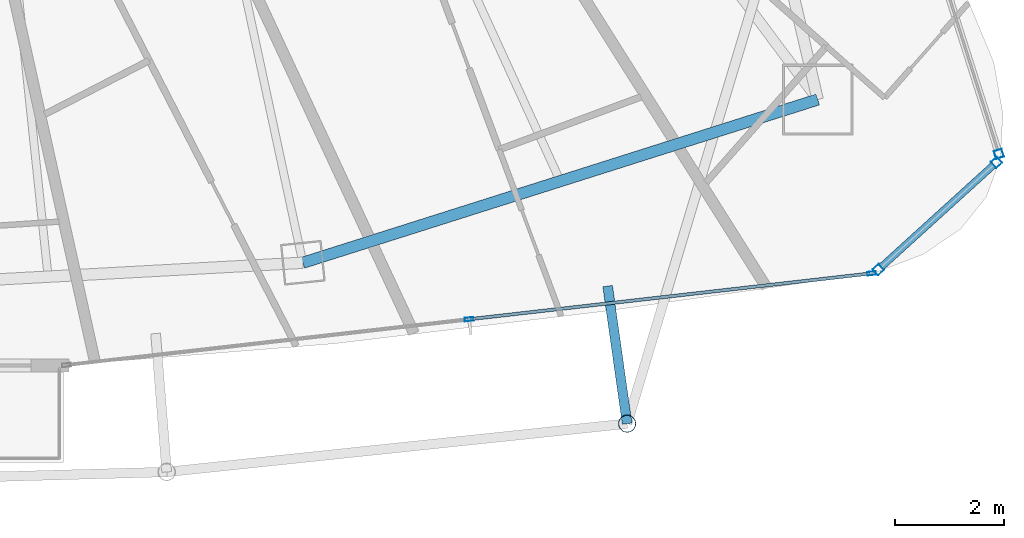
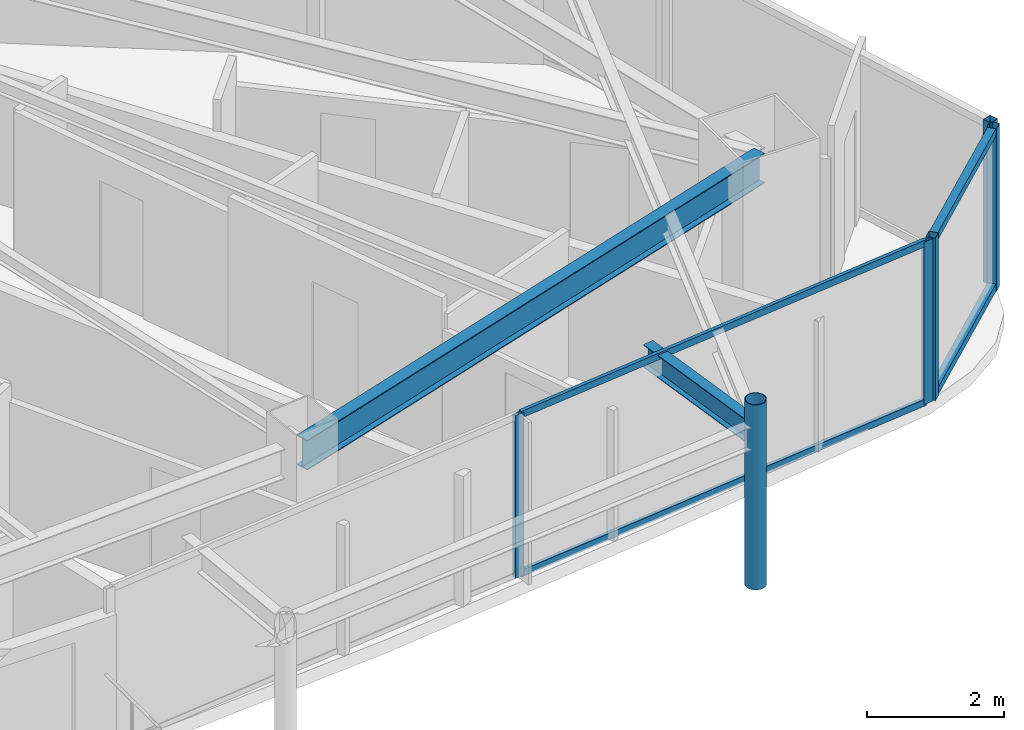
# One storey, part 14 of 29: 10 members, 2 beams, 3 elements without a shape of their own.
"""IFC4 building model written with IfcOpenShell, lengths in metres."""

from ifc_helpers import new_model, si_unit, direction, frame, origin, origin_2d, place, context, subcontext, project, spatial, hollow_rectangle, hollow_circle, i_section, extrude, material, layer, layer_set, material_profile, profile_set, type_object, element, aggregate, save


model = new_model("IFC4")

# Units and contexts
model_context = context("Model", 3, precision=1e-05, world=origin(), true_north=direction((0.0, 1.0)))
body_context = subcontext(model_context, "Body", "Model", "MODEL_VIEW")
ifc_project = project(units=[si_unit("LENGTHUNIT", "METRE"), si_unit("AREAUNIT", "SQUARE_METRE"), si_unit("VOLUMEUNIT", "CUBIC_METRE"), si_unit("PLANEANGLEUNIT", "RADIAN"), si_unit("MASSUNIT", "GRAM", prefix="KILO")], contexts=[model_context])

# Site, building, storey
site_placement = place(None, origin())
site = spatial("IfcSite", under=ifc_project, at=site_placement, CompositionType="ELEMENT")
building_placement = place(site_placement, origin())
building = spatial("IfcBuilding", under=site, at=building_placement, Name="Orvanel Arch Residences", CompositionType="ELEMENT")
storey_placement = place(building_placement, frame((0.0, 0.0, 253.550048828125)))
storey = spatial("IfcBuildingStorey", under=building, at=storey_placement, Name="L72", CompositionType="ELEMENT", Elevation=253.550048828125)

# Curtain wall, members
ifc_material_1 = material(Name="Bronze-anodised aluminium AA6063-T6", Category="aluminium")
ifc_layer_1 = layer(ifc_material_1, 0.18994140625)
ifc_layer_set_1 = layer_set([ifc_layer_1], Name="Bronze-anodised aluminium AA6063-T6")
curtain_wall_type_1 = type_object("IfcCurtainWallType", Name="CW5-CRN-SYS", PredefinedType="NOTDEFINED", material=ifc_layer_set_1)
curtain_wall_1_placement = place(storey_placement, origin())
curtain_wall_1 = element("IfcCurtainWall", 1, at=curtain_wall_1_placement, inside=storey, type_object=curtain_wall_type_1, Name="L72 CW5-CRN-SYS Unitised Curtain Wall", PredefinedType="NOTDEFINED")
ifc_material_profile_1 = material_profile(ifc_material_1, hollow_rectangle(XDim=0.14990234375, YDim=0.14990234375, WallThickness=0.0048828125, at=origin_2d()), Name="ALU150x150x5")
ifc_profile_set_1 = profile_set([ifc_material_profile_1], Name="Bronze-anodised aluminium AA6063-T6")
member_type_1 = type_object("IfcMemberType", Name="MUL-150x150", PredefinedType="MULLION", material=ifc_profile_set_1)
member_1_placement = place(storey_placement, frame((52.91455078125, 7.2294921875, 0.0), z_axis=(0.0, 0.0, 1.0), x_axis=(-0.672204148472, 0.740365843875, 0.0)))
member_1 = element("IfcMember", 2, at=member_1_placement, type_object=member_type_1, Name="CW-S5 mullion 1", PredefinedType="MULLION", context=body_context, shape_type="SweptSolid", body=[
    extrude(hollow_rectangle(XDim=0.14990234375, YDim=0.14990234375, WallThickness=0.0048828125, at=origin_2d()), origin(), (0.0, 0.0, 1.0), 2.89990234375),
])
member_2_placement = place(storey_placement, frame((55.08447265625, 9.199462890625, 0.0), z_axis=(0.0, 0.0, 1.0), x_axis=(-0.672204148472, 0.740365843875, 0.0)))
member_2 = element("IfcMember", 3, at=member_2_placement, type_object=member_type_1, Name="CW-S5 mullion 2", PredefinedType="MULLION", context=body_context, shape_type="SweptSolid", body=[
    extrude(hollow_rectangle(XDim=0.14990234375, YDim=0.14990234375, WallThickness=0.0048828125, at=origin_2d()), origin(), (0.0, 0.0, 1.0), 2.89990234375),
])

# Curtain wall, member
curtain_wall_2_placement = place(storey_placement, origin())
curtain_wall_2 = element("IfcCurtainWall", 4, at=curtain_wall_2_placement, inside=storey, type_object=curtain_wall_type_1, Name="L72 CW5-CRN-SYS Unitised Curtain Wall", PredefinedType="NOTDEFINED")
member_3_placement = place(storey_placement, frame((55.126220703125, 9.353515625, 0.0), z_axis=(0.0, 0.0, 1.0), x_axis=(-0.953089092544, -0.302689910097, 0.0)))
member_3 = element("IfcMember", 5, at=member_3_placement, type_object=member_type_1, Name="CW-S5 mullion 1", PredefinedType="MULLION", context=body_context, shape_type="SweptSolid", body=[
    extrude(hollow_rectangle(XDim=0.14990234375, YDim=0.14990234375, WallThickness=0.0048828125, at=origin_2d()), origin(), (0.0, 0.0, 1.0), 2.89990234375),
])
aggregate(curtain_wall_2, [member_3])

# Curtain wall, members
ifc_layer_2 = layer(ifc_material_1, 0.175048828125)
ifc_layer_set_2 = layer_set([ifc_layer_2], Name="Bronze-anodised aluminium AA6063-T6")
curtain_wall_type_2 = type_object("IfcCurtainWallType", Name="CW4-HI-SYS", PredefinedType="NOTDEFINED", material=ifc_layer_set_2)
curtain_wall_3_placement = place(storey_placement, origin())
curtain_wall_3 = element("IfcCurtainWall", 6, at=curtain_wall_3_placement, inside=storey, type_object=curtain_wall_type_2, Name="L72 CW4-HI-SYS Unitised Curtain Wall", PredefinedType="NOTDEFINED")
ifc_material_profile_2 = material_profile(ifc_material_1, hollow_rectangle(XDim=0.06494140625, YDim=0.159912109375, WallThickness=0.00390625, at=origin_2d()), Name="ALU160x65x4")
ifc_profile_set_2 = profile_set([ifc_material_profile_2], Name="Bronze-anodised aluminium AA6063-T6")
member_type_2 = type_object("IfcMemberType", Name="MUL-160x65", PredefinedType="MULLION", material=ifc_profile_set_2)
member_4_placement = place(storey_placement, frame((45.402587890625, 6.318115234375, 0.0), z_axis=(0.0, 0.0, 1.0), x_axis=(-0.113259630878, 0.993565426136, 0.0)))
member_4 = element("IfcMember", 7, at=member_4_placement, type_object=member_type_2, Name="CW-S4 mullion 2", PredefinedType="MULLION", context=body_context, shape_type="SweptSolid", body=[
    extrude(hollow_rectangle(XDim=0.06494140625, YDim=0.159912109375, WallThickness=0.00390625, at=origin_2d()), origin(), (0.0, 0.0, 1.0), 2.89990234375),
])
member_5_placement = place(storey_placement, frame((52.791748046875, 7.160400390625, 0.0), z_axis=(0.0, 0.0, 1.0), x_axis=(-0.113259630878, 0.993565426136, 0.0)))
member_5 = element("IfcMember", 8, at=member_5_placement, type_object=member_type_2, Name="CW-S4 mullion 3", PredefinedType="MULLION", context=body_context, shape_type="SweptSolid", body=[
    extrude(hollow_rectangle(XDim=0.06494140625, YDim=0.159912109375, WallThickness=0.00390625, at=origin_2d()), origin(), (0.0, 0.0, 1.0), 2.89990234375),
])

# Beams
ifc_material_2 = material(Name="Structural steel AS/NZS 3679.1 Grade 300 (300 MPa)", Category="steel")
ifc_material_profile_3 = material_profile(ifc_material_2, i_section(OverallWidth=0.177978515625, OverallDepth=0.406005859375, WebThickness=0.0078125, FlangeThickness=0.0126953125, at=origin_2d()), Name="410UB59.7")
ifc_profile_set_3 = profile_set([ifc_material_profile_3], Name="Structural steel AS/NZS 3679.1 Grade 300 (300 MPa)")
beam_type_1 = type_object("IfcBeamType", Name="OB-410UB-EXT", PredefinedType="SPANDREL", material=ifc_profile_set_3)
beam_1_placement = place(storey_placement, frame((47.945068359375, 6.927001953125, 2.697021484375), z_axis=(0.140349029672, -0.99010209063, 0.0), x_axis=(0.99010209063, 0.140349029672, 0.0)))
element("IfcBeam", 9, at=beam_1_placement, inside=storey, type_object=beam_type_1, Name="L72 Outer Frame Radial Tie Beam 08", PredefinedType="SPANDREL", context=body_context, shape_type="SweptSolid", body=[
    extrude(i_section(OverallWidth=0.177978515625, OverallDepth=0.406005859375, WebThickness=0.0078125, FlangeThickness=0.0126953125, at=origin_2d()), origin(), (0.0, 0.0, 1.0), 2.550048828125),
])
ifc_material_profile_4 = material_profile(ifc_material_2, i_section(OverallWidth=0.208984375, OverallDepth=0.532958984375, WebThickness=0.01025390625, FlangeThickness=0.015625, at=origin_2d()), Name="530UB92.4")
ifc_profile_set_4 = profile_set([ifc_material_profile_4], Name="Structural steel AS/NZS 3679.1 Grade 300 (300 MPa)")
beam_type_2 = type_object("IfcBeamType", Name="SP-530UB", PredefinedType="SPANDREL", material=ifc_profile_set_4)
beam_2_placement = place(storey_placement, frame((42.35107421875, 7.35498046875, 2.633056640625), z_axis=(0.953237386592, 0.302222574941, 0.0), x_axis=(-0.302222574941, 0.953237386592, 0.0)))
element("IfcBeam", 10, at=beam_2_placement, inside=storey, type_object=beam_type_2, Name="L72 Perimeter Spandrel Beam 05", PredefinedType="SPANDREL", context=body_context, shape_type="SweptSolid", body=[
    extrude(i_section(OverallWidth=0.208984375, OverallDepth=0.532958984375, WebThickness=0.01025390625, FlangeThickness=0.015625, at=origin_2d()), origin(), (0.0, 0.0, 1.0), 9.91357421875),
])

# Member
ifc_material_3 = material(Name="Structural steel AS/NZS 1163 C350L0 (Grade 350)", Category="steel")
ifc_material_profile_5 = material_profile(ifc_material_3, hollow_circle(Radius=0.162109375, WallThickness=0.0126953125, at=origin_2d()), Name="CHS324x12.7")
ifc_profile_set_5 = profile_set([ifc_material_profile_5], Name="Structural steel AS/NZS 1163 C350L0 (Grade 350)")
member_type_3 = type_object("IfcMemberType", Name="ST-324CHS-EXT", PredefinedType="STRUT", material=ifc_profile_set_5)
member_6_placement = place(storey_placement, frame((48.302978515625, 4.402099609375, 0.0), z_axis=(0.0, 0.0, 1.0), x_axis=(1.0, 0.0, 0.0)))
element("IfcMember", 11, at=member_6_placement, inside=storey, type_object=member_type_3, Name="L72 Outer Perimeter Frame Post 08", PredefinedType="STRUT", context=body_context, shape_type="SweptSolid", body=[
    extrude(hollow_circle(Radius=0.162109375, WallThickness=0.0126953125, at=origin_2d()), origin(), (0.0, 0.0, 1.0), 3.300048828125),
])

ifc_material_profile_6 = material_profile(ifc_material_1, hollow_rectangle(XDim=0.06005859375, YDim=0.1201171875, WallThickness=0.00341796875, at=origin_2d()), Name="ALU120x60x3.5")
ifc_profile_set_6 = profile_set([ifc_material_profile_6], Name="Bronze-anodised aluminium AA6063-T6")
member_type_4 = type_object("IfcMemberType", Name="TRN-120x60", PredefinedType="USERDEFINED", material=ifc_profile_set_6)
member_7_placement = place(storey_placement, frame((45.434814453125, 6.32177734375, 0.030029296875), z_axis=(0.993565507484, 0.113258917259, 0.0), x_axis=(-0.113258917259, 0.993565507484, 0.0)))
member_7 = element("IfcMember", 12, at=member_7_placement, type_object=member_type_4, Name="CW-S4 transom 2.1", ObjectType="TRANSOM", PredefinedType="USERDEFINED", context=body_context, shape_type="SweptSolid", body=[
    extrude(hollow_rectangle(XDim=0.06005859375, YDim=0.1201171875, WallThickness=0.00341796875, at=origin_2d()), origin(), (0.0, 0.0, 1.0), 7.3720703125),
])

member_8_placement = place(storey_placement, frame((45.434814453125, 6.32177734375, 2.869873046875), z_axis=(0.993565507484, 0.113258917259, 0.0), x_axis=(-0.113258917259, 0.993565507484, 0.0)))
member_8 = element("IfcMember", 13, at=member_8_placement, type_object=member_type_4, Name="CW-S4 transom 2.2", ObjectType="TRANSOM", PredefinedType="USERDEFINED", context=body_context, shape_type="SweptSolid", body=[
    extrude(hollow_rectangle(XDim=0.06005859375, YDim=0.1201171875, WallThickness=0.00341796875, at=origin_2d()), origin(), (0.0, 0.0, 1.0), 7.3720703125),
])

aggregate(curtain_wall_3, [member_4, member_5, member_7, member_8])

ifc_material_profile_7 = material_profile(ifc_material_1, hollow_rectangle(XDim=0.1298828125, YDim=0.1298828125, WallThickness=0.00439453125, at=origin_2d()), Name="ALU130x130x4.5")
ifc_profile_set_7 = profile_set([ifc_material_profile_7], Name="Bronze-anodised aluminium AA6063-T6")
member_type_5 = type_object("IfcMemberType", Name="TRN-130x130", PredefinedType="USERDEFINED", material=ifc_profile_set_7)
member_9_placement = place(storey_placement, frame((52.969970703125, 7.27978515625, 0.06494140625), z_axis=(0.740388770203, 0.672178896543, 0.0), x_axis=(-0.672178896543, 0.740388770203, 0.0)))
member_9 = element("IfcMember", 14, at=member_9_placement, type_object=member_type_5, Name="CW-S5 transom 1.1", ObjectType="TRANSOM", PredefinedType="USERDEFINED", context=body_context, shape_type="SweptSolid", body=[
    extrude(hollow_rectangle(XDim=0.1298828125, YDim=0.1298828125, WallThickness=0.00439453125, at=origin_2d()), origin(), (0.0, 0.0, 1.0), 2.781005859375),
])

member_10_placement = place(storey_placement, frame((52.969970703125, 7.27978515625, 2.8349609375), z_axis=(0.740388770203, 0.672178896543, 0.0), x_axis=(-0.672178896543, 0.740388770203, 0.0)))
member_10 = element("IfcMember", 15, at=member_10_placement, type_object=member_type_5, Name="CW-S5 transom 1.2", ObjectType="TRANSOM", PredefinedType="USERDEFINED", context=body_context, shape_type="SweptSolid", body=[
    extrude(hollow_rectangle(XDim=0.1298828125, YDim=0.1298828125, WallThickness=0.00439453125, at=origin_2d()), origin(), (0.0, 0.0, 1.0), 2.781005859375),
])

aggregate(curtain_wall_1, [member_1, member_2, member_9, member_10])

save(model, "model.ifc")
